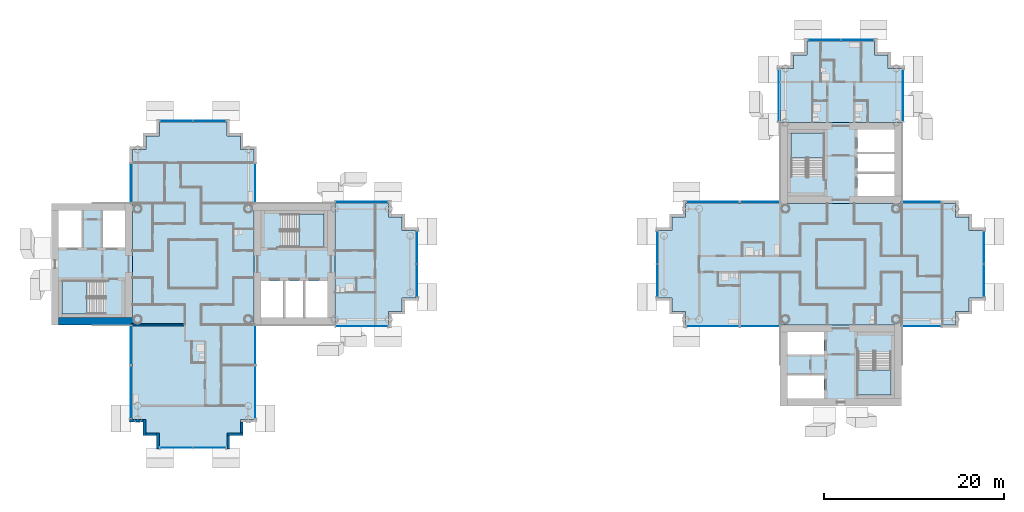
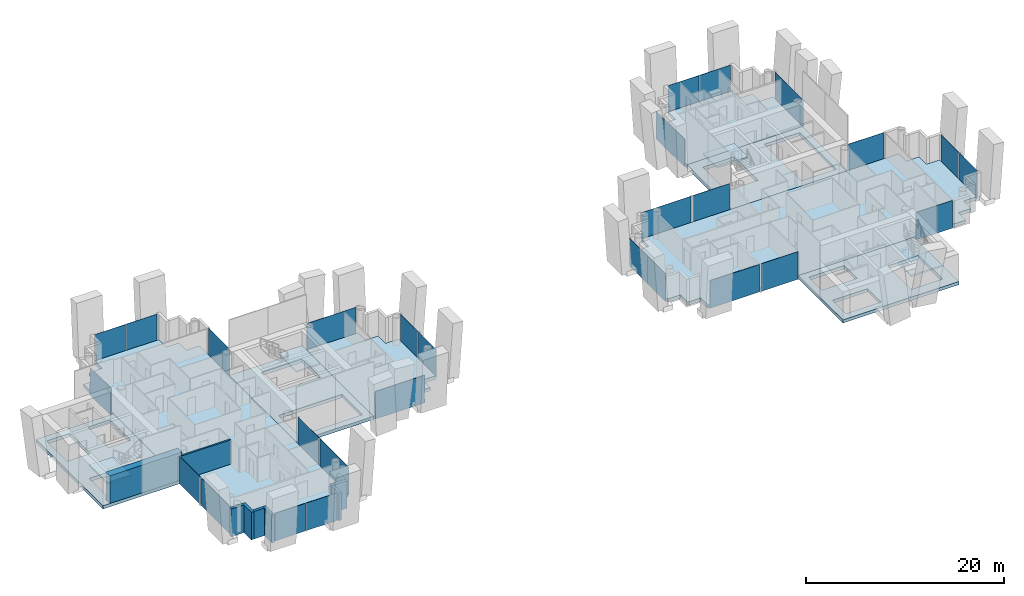
# One storey, part 5 of 18: 28 plates, 12 slabs, 9 walls, 26 elements without a shape of their own.
"""IFC4 building model written with IfcOpenShell, lengths in metres."""

from ifc_helpers import new_model, si_unit, direction, frame, frame_2d, origin, origin_2d, place, context, subcontext, project, spatial, polyline, rectangle, outline, extrude, material, layer, layer_set, type_object, element, aggregate, save


model = new_model("IFC4")

# Units and contexts
model_context = context("Model", 3, precision=1e-05, world=origin(), true_north=direction((0.0, 1.0)))
body_context = subcontext(model_context, "Body", "Model", "MODEL_VIEW")
ifc_project = project(units=[si_unit("LENGTHUNIT", "METRE"), si_unit("AREAUNIT", "SQUARE_METRE"), si_unit("VOLUMEUNIT", "CUBIC_METRE"), si_unit("PLANEANGLEUNIT", "RADIAN"), si_unit("MASSUNIT", "GRAM", prefix="KILO")], contexts=[model_context])

# Site, building, storey
site_placement = place(None, origin())
site = spatial("IfcSite", under=ifc_project, at=site_placement, CompositionType="ELEMENT")
building_placement = place(site_placement, origin())
building = spatial("IfcBuilding", under=site, at=building_placement, Name="Ipe Terrace Towers", CompositionType="ELEMENT")
storey_placement = place(building_placement, frame((0.0, 0.0, 164.300048828125)))
storey = spatial("IfcBuildingStorey", under=building, at=storey_placement, Name="L45", CompositionType="ELEMENT", Elevation=164.300048828125)

# Slabs
ifc_material_1 = material(Name="Concrete C30/37", Category="concrete")
ifc_layer_1 = layer(ifc_material_1, 0.39990234375)
ifc_layer_set_1 = layer_set([ifc_layer_1], Name="CORE FLOOR SLAB 400 C30-37")
slab_type_1 = type_object("IfcSlabType", Name="CORE FLOOR SLAB 400 C30-37", PredefinedType="FLOOR", material=ifc_layer_set_1)
slab_1_placement = place(storey_placement, frame((0.0, 0.0, -0.400146484375)))
element("IfcSlab", 1, at=slab_1_placement, inside=storey, type_object=slab_type_1, Name="Core floor T1-C1", PredefinedType="FLOOR", context=body_context, shape_type="SweptSolid", body=[
    extrude(outline(polyline([(-29.25, -6.75), (-29.25, 6.75), (-20.25, 6.75), (-20.25, -6.75), (-29.25, -6.75)]), holes=[polyline([(-28.449951171875, -5.949951171875), (-21.050048828125, -5.949951171875), (-21.050048828125, -1.85009765625), (-28.449951171875, -1.85009765625), (-28.449951171875, -5.949951171875)]), polyline([(-26.199951171875, 5.550048828125), (-26.199951171875, 1.89990234375), (-21.449951171875, 1.89990234375), (-21.449951171875, 5.550048828125), (-26.199951171875, 5.550048828125)])]), origin(), (0.0, 0.0, 1.0), 0.400146484375),
])
slab_2_placement = place(storey_placement, frame((0.0, 0.0, -0.400146484375)))
element("IfcSlab", 2, at=slab_2_placement, inside=storey, type_object=slab_type_1, Name="Core floor T1-C2", PredefinedType="FLOOR", context=body_context, shape_type="SweptSolid", body=[
    extrude(outline(polyline([(-51.75, -6.75), (-51.75, 6.75), (-42.75, 6.75), (-42.75, -6.75), (-51.75, -6.75)]), holes=[polyline([(-45.800048828125, -1.89990234375), (-50.550048828125, -1.89990234375), (-50.550048828125, -5.550048828125), (-45.800048828125, -5.550048828125), (-45.800048828125, -1.89990234375)]), polyline([(-48.25, 1.85009765625), (-48.25, 5.949951171875), (-50.949951171875, 5.949951171875), (-50.949951171875, 1.85009765625), (-48.25, 1.85009765625)]), polyline([(-43.550048828125, 1.85009765625), (-43.550048828125, 5.949951171875), (-46.14990234375, 5.949951171875), (-46.14990234375, 1.85009765625), (-43.550048828125, 1.85009765625)])]), origin(), (0.0, 0.0, 1.0), 0.400146484375),
])
slab_3_placement = place(storey_placement, frame((0.0, 0.0, -0.400146484375)))
element("IfcSlab", 3, at=slab_3_placement, inside=storey, type_object=slab_type_1, Name="Core floor T2-C1", PredefinedType="FLOOR", context=body_context, shape_type="SweptSolid", body=[
    extrude(outline(polyline([(29.25, 6.75), (29.25, 15.75), (42.75, 15.75), (42.75, 6.75), (29.25, 6.75)]), holes=[polyline([(41.949951171875, 7.550048828125), (41.949951171875, 14.949951171875), (37.85009765625, 14.949951171875), (37.85009765625, 7.550048828125), (41.949951171875, 7.550048828125)]), polyline([(30.449951171875, 9.800048828125), (34.10009765625, 9.800048828125), (34.10009765625, 14.550048828125), (30.449951171875, 14.550048828125), (30.449951171875, 9.800048828125)])]), origin(), (0.0, 0.0, 1.0), 0.400146484375),
])
slab_4_placement = place(storey_placement, frame((0.0, 0.0, -0.400146484375)))
element("IfcSlab", 4, at=slab_4_placement, inside=storey, type_object=slab_type_1, Name="Core floor T2-C2", PredefinedType="FLOOR", context=body_context, shape_type="SweptSolid", body=[
    extrude(outline(polyline([(29.25, -15.75), (29.25, -6.75), (42.75, -6.75), (42.75, -15.75), (29.25, -15.75)]), holes=[polyline([(30.050048828125, -12.25), (30.050048828125, -14.949951171875), (34.14990234375, -14.949951171875), (34.14990234375, -12.25), (30.050048828125, -12.25)]), polyline([(41.550048828125, -9.800048828125), (37.89990234375, -9.800048828125), (37.89990234375, -14.550048828125), (41.550048828125, -14.550048828125), (41.550048828125, -9.800048828125)]), polyline([(34.14990234375, -7.550048828125), (30.050048828125, -7.550048828125), (30.050048828125, -10.14990234375), (34.14990234375, -10.14990234375), (34.14990234375, -7.550048828125)])]), origin(), (0.0, 0.0, 1.0), 0.400146484375),
])

# Stair, slab
ifc_material_2 = material(Name="Concrete C30/37", Category="concrete")
stair_type = type_object("IfcStairType", Name="Protected exit stair", PredefinedType="HALF_TURN_STAIR", material=ifc_material_2)
stair_1_placement = place(storey_placement, origin())
stair_1 = element("IfcStair", 5, at=stair_1_placement, inside=storey, type_object=stair_type, Name="L45 Exit stair T1-C1", PredefinedType="HALF_TURN_STAIR")
ifc_material_3 = material(Name="Concrete C30/37", Category="concrete")
ifc_layer_2 = layer(ifc_material_3, 0.199951171875)
ifc_layer_set_2 = layer_set([ifc_layer_2], Name="Exit stair landing 200")
slab_type_2 = type_object("IfcSlabType", Name="Exit stair landing 200", PredefinedType="LANDING", material=ifc_layer_set_2)
slab_5_placement = place(storey_placement, frame((0.0, 0.0, 1.5)))
slab_5 = element("IfcSlab", 6, at=slab_5_placement, type_object=slab_type_2, Name="T1-ST1 landing 1", PredefinedType="LANDING", context=body_context, shape_type="SweptSolid", body=[
    extrude(outline(polyline([(-24.219970703125, 1.89990234375), (-21.449951171875, 1.89990234375), (-21.449951171875, 5.550048828125), (-24.219970703125, 5.550048828125), (-24.219970703125, 1.89990234375)])), origin(), (0.0, 0.0, 1.0), 0.199951171875),
])
aggregate(stair_1, [slab_5])

stair_2_placement = place(storey_placement, origin())
stair_2 = element("IfcStair", 7, at=stair_2_placement, inside=storey, type_object=stair_type, Name="L45 Exit stair T1-C2", PredefinedType="HALF_TURN_STAIR")
slab_6_placement = place(storey_placement, frame((0.0, 0.0, 1.5)))
slab_6 = element("IfcSlab", 8, at=slab_6_placement, type_object=slab_type_2, Name="T1-ST2 landing 1", PredefinedType="LANDING", context=body_context, shape_type="SweptSolid", body=[
    extrude(outline(polyline([(-47.780029296875, -1.89990234375), (-50.550048828125, -1.89990234375), (-50.550048828125, -5.550048828125), (-47.780029296875, -5.550048828125), (-47.780029296875, -1.89990234375)])), origin(), (0.0, 0.0, 1.0), 0.199951171875),
])
aggregate(stair_2, [slab_6])

stair_3_placement = place(storey_placement, origin())
stair_3 = element("IfcStair", 9, at=stair_3_placement, inside=storey, type_object=stair_type, Name="L45 Exit stair T2-C1", PredefinedType="HALF_TURN_STAIR")
slab_7_placement = place(storey_placement, frame((0.0, 0.0, 1.5)))
slab_7 = element("IfcSlab", 10, at=slab_7_placement, type_object=slab_type_2, Name="T2-ST1 landing 1", PredefinedType="LANDING", context=body_context, shape_type="SweptSolid", body=[
    extrude(outline(polyline([(34.10009765625, 11.780029296875), (34.10009765625, 14.550048828125), (30.449951171875, 14.550048828125), (30.449951171875, 11.780029296875), (34.10009765625, 11.780029296875)])), origin(), (0.0, 0.0, 1.0), 0.199951171875),
])
aggregate(stair_3, [slab_7])

stair_4_placement = place(storey_placement, origin())
stair_4 = element("IfcStair", 11, at=stair_4_placement, inside=storey, type_object=stair_type, Name="L45 Exit stair T2-C2", PredefinedType="HALF_TURN_STAIR")
slab_8_placement = place(storey_placement, frame((0.0, 0.0, 1.5)))
slab_8 = element("IfcSlab", 12, at=slab_8_placement, type_object=slab_type_2, Name="T2-ST2 landing 1", PredefinedType="LANDING", context=body_context, shape_type="SweptSolid", body=[
    extrude(outline(polyline([(37.89990234375, -11.780029296875), (37.89990234375, -14.550048828125), (41.550048828125, -14.550048828125), (41.550048828125, -11.780029296875), (37.89990234375, -11.780029296875)])), origin(), (0.0, 0.0, 1.0), 0.199951171875),
])
aggregate(stair_4, [slab_8])

# Slabs
ifc_material_4 = material(Name="Concrete C40/50", Category="concrete")
ifc_layer_3 = layer(ifc_material_4, 0.39990234375)
ifc_layer_set_3 = layer_set([ifc_layer_3], Name="FLAT PLATE SLAB 400 C40-50")
slab_type_3 = type_object("IfcSlabType", Name="FLAT PLATE SLAB 400 C40-50", PredefinedType="FLOOR", material=ifc_layer_set_3)
slab_9_placement = place(storey_placement, frame((0.0, 0.0, -0.400146484375)))
element("IfcSlab", 13, at=slab_9_placement, inside=storey, type_object=slab_type_3, Name="Slab T1-FS-Z31", PredefinedType="FLOOR", context=body_context, shape_type="SweptSolid", body=[
    extrude(outline(polyline([(-30.75, -17.25), (-30.75, -18.75), (-32.25, -18.75), (-32.25, -20.25), (-39.75, -20.25), (-39.75, -18.75), (-41.25, -18.75), (-41.25, -17.25), (-42.75, -17.25), (-42.75, -6.75), (-42.75, 6.75), (-42.75, 12.75), (-41.25, 12.75), (-41.25, 14.25), (-39.75, 14.25), (-39.75, 15.75), (-32.25, 15.75), (-32.25, 14.25), (-30.75, 14.25), (-30.75, 12.75), (-29.25, 12.75), (-29.25, 6.75), (-29.25, -6.75), (-29.25, -17.25), (-30.75, -17.25)])), origin(), (0.0, 0.0, 1.0), 0.400146484375),
])
slab_10_placement = place(storey_placement, frame((0.0, 0.0, -0.400146484375)))
element("IfcSlab", 14, at=slab_10_placement, inside=storey, type_object=slab_type_3, Name="Slab T1-FS-Z32", PredefinedType="FLOOR", context=body_context, shape_type="SweptSolid", body=[
    extrude(outline(polyline([(-14.25, 5.25), (-12.75, 5.25), (-12.75, 3.75), (-11.25, 3.75), (-11.25, -3.75), (-12.75, -3.75), (-12.75, -5.25), (-14.25, -5.25), (-14.25, -6.75), (-20.25, -6.75), (-20.25, 6.75), (-14.25, 6.75), (-14.25, 5.25)])), origin(), (0.0, 0.0, 1.0), 0.400146484375),
])
slab_11_placement = place(storey_placement, frame((0.0, 0.0, -0.400146484375)))
element("IfcSlab", 15, at=slab_11_placement, inside=storey, type_object=slab_type_3, Name="Slab T2-FS-Z31", PredefinedType="FLOOR", context=body_context, shape_type="SweptSolid", body=[
    extrude(outline(polyline([(48.75, 5.25), (50.25, 5.25), (50.25, 3.75), (51.75, 3.75), (51.75, -3.75), (50.25, -3.75), (50.25, -5.25), (48.75, -5.25), (48.75, -6.75), (42.75, -6.75), (29.25, -6.75), (18.75, -6.75), (18.75, -5.25), (17.25, -5.25), (17.25, -3.75), (15.75, -3.75), (15.75, 3.75), (17.25, 3.75), (17.25, 5.25), (18.75, 5.25), (18.75, 6.75), (29.25, 6.75), (42.75, 6.75), (48.75, 6.75), (48.75, 5.25)])), origin(), (0.0, 0.0, 1.0), 0.400146484375),
])
slab_12_placement = place(storey_placement, frame((0.0, 0.0, -0.400146484375)))
element("IfcSlab", 16, at=slab_12_placement, inside=storey, type_object=slab_type_3, Name="Slab T2-FS-Z32", PredefinedType="FLOOR", context=body_context, shape_type="SweptSolid", body=[
    extrude(outline(polyline([(30.75, 21.75), (30.75, 23.25), (32.25, 23.25), (32.25, 24.75), (39.75, 24.75), (39.75, 23.25), (41.25, 23.25), (41.25, 21.75), (42.75, 21.75), (42.75, 15.75), (29.25, 15.75), (29.25, 21.75), (30.75, 21.75)])), origin(), (0.0, 0.0, 1.0), 0.400146484375),
])

# Curtain wall, plate
ifc_material_5 = material(Name="Aluminium alloy 6063-T6", Category="aluminium")
ifc_layer_4 = layer(ifc_material_5, 0.320068359375)
ifc_layer_set_4 = layer_set([ifc_layer_4], Name="TOWER UNITISED CURTAIN WALL")
curtain_wall_type = type_object("IfcCurtainWallType", Name="TOWER UNITISED CURTAIN WALL", PredefinedType="NOTDEFINED", material=ifc_layer_set_4)
curtain_wall_1_placement = place(storey_placement, origin())
curtain_wall_1 = element("IfcCurtainWall", 17, at=curtain_wall_1_placement, inside=storey, type_object=curtain_wall_type, Name="T1-CW-L45-02a curtain wall", PredefinedType="NOTDEFINED")
ifc_material_6 = material(Name="Glass, clear laminated", Category="glass")
ifc_layer_5 = layer(ifc_material_6, 0.031982421875)
ifc_layer_set_5 = layer_set([ifc_layer_5], Name="TOWER UNITISED GLASS PANEL 32")
plate_type = type_object("IfcPlateType", Name="TOWER UNITISED GLASS PANEL 32", PredefinedType="CURTAIN_PANEL", material=ifc_layer_set_5)
plate_1_placement = place(storey_placement, frame((-42.909912109375, -9.0, -0.300048828125), z_axis=(0.0, 0.0, 1.0), x_axis=(0.0, -1.0, 0.0)))
plate_1 = element("IfcPlate", 18, at=plate_1_placement, type_object=plate_type, Name="T1-CW-L45-02a panel 1", PredefinedType="CURTAIN_PANEL", context=body_context, shape_type="SweptSolid", body=[
    extrude(rectangle(XDim=4.260009765625, YDim=0.031982421875, at=origin_2d()), origin(), (0.0, 0.0, 1.0), 3.39990234375),
])
aggregate(curtain_wall_1, [plate_1])

curtain_wall_2_placement = place(storey_placement, origin())
curtain_wall_2 = element("IfcCurtainWall", 19, at=curtain_wall_2_placement, inside=storey, type_object=curtain_wall_type, Name="T1-CW-L45-03a curtain wall", PredefinedType="NOTDEFINED")
plate_2_placement = place(storey_placement, frame((-42.909912109375, -14.25, -0.300048828125), z_axis=(0.0, 0.0, 1.0), x_axis=(0.0, -1.0, 0.0)))
plate_2 = element("IfcPlate", 20, at=plate_2_placement, type_object=plate_type, Name="T1-CW-L45-03a panel 1", PredefinedType="CURTAIN_PANEL", context=body_context, shape_type="SweptSolid", body=[
    extrude(rectangle(XDim=5.760009765625, YDim=0.031982421875, at=origin_2d()), origin(), (0.0, 0.0, 1.0), 3.39990234375),
])
aggregate(curtain_wall_2, [plate_2])

# Curtain wall, plates
curtain_wall_3_placement = place(storey_placement, origin())
curtain_wall_3 = element("IfcCurtainWall", 21, at=curtain_wall_3_placement, inside=storey, type_object=curtain_wall_type, Name="T1-CW-L45-08a curtain wall", PredefinedType="NOTDEFINED")
plate_3_placement = place(storey_placement, frame((-37.831298828125, -20.409912109375, -0.300048828125), z_axis=(0.0, 0.0, 1.0), x_axis=(1.0, 0.0, 0.0)))
plate_3 = element("IfcPlate", 22, at=plate_3_placement, type_object=plate_type, Name="T1-CW-L45-08a panel 1", PredefinedType="CURTAIN_PANEL", context=body_context, shape_type="SweptSolid", body=[
    extrude(rectangle(XDim=3.597412109375, YDim=0.031982421875, at=origin_2d()), origin(), (0.0, 0.0, 1.0), 3.39990234375),
])
plate_4_placement = place(storey_placement, frame((-34.168701171875, -20.409912109375, -0.300048828125), z_axis=(0.0, 0.0, 1.0), x_axis=(1.0, 0.0, 0.0)))
plate_4 = element("IfcPlate", 23, at=plate_4_placement, type_object=plate_type, Name="T1-CW-L45-08a panel 2", PredefinedType="CURTAIN_PANEL", context=body_context, shape_type="SweptSolid", body=[
    extrude(rectangle(XDim=3.597412109375, YDim=0.031982421875, at=origin_2d()), origin(), (0.0, 0.0, 1.0), 3.39990234375),
])
aggregate(curtain_wall_3, [plate_3, plate_4])

# Curtain wall, plate
curtain_wall_4_placement = place(storey_placement, origin())
curtain_wall_4 = element("IfcCurtainWall", 24, at=curtain_wall_4_placement, inside=storey, type_object=curtain_wall_type, Name="T1-CW-L45-13a curtain wall", PredefinedType="NOTDEFINED")
plate_5_placement = place(storey_placement, frame((-29.090087890625, -14.25, -0.300048828125), z_axis=(0.0, 0.0, 1.0), x_axis=(0.0, 1.0, 0.0)))
plate_5 = element("IfcPlate", 25, at=plate_5_placement, type_object=plate_type, Name="T1-CW-L45-13a panel 1", PredefinedType="CURTAIN_PANEL", context=body_context, shape_type="SweptSolid", body=[
    extrude(rectangle(XDim=5.760009765625, YDim=0.031982421875, at=origin_2d()), origin(), (0.0, 0.0, 1.0), 3.39990234375),
])
aggregate(curtain_wall_4, [plate_5])

curtain_wall_5_placement = place(storey_placement, origin())
curtain_wall_5 = element("IfcCurtainWall", 26, at=curtain_wall_5_placement, inside=storey, type_object=curtain_wall_type, Name="T1-CW-L45-14a curtain wall", PredefinedType="NOTDEFINED")
plate_6_placement = place(storey_placement, frame((-29.090087890625, -9.0, -0.300048828125), z_axis=(0.0, 0.0, 1.0), x_axis=(0.0, 1.0, 0.0)))
plate_6 = element("IfcPlate", 27, at=plate_6_placement, type_object=plate_type, Name="T1-CW-L45-14a panel 1", PredefinedType="CURTAIN_PANEL", context=body_context, shape_type="SweptSolid", body=[
    extrude(rectangle(XDim=4.260009765625, YDim=0.031982421875, at=origin_2d()), origin(), (0.0, 0.0, 1.0), 3.39990234375),
])
aggregate(curtain_wall_5, [plate_6])

curtain_wall_6_placement = place(storey_placement, origin())
curtain_wall_6 = element("IfcCurtainWall", 28, at=curtain_wall_6_placement, inside=storey, type_object=curtain_wall_type, Name="T1-CW-L45-16b curtain wall", PredefinedType="NOTDEFINED")
plate_7_placement = place(storey_placement, frame((-17.24951171875, -6.909912109375, -0.300048828125), z_axis=(0.0, 0.0, 1.0), x_axis=(1.0, 0.0, 0.0)))
plate_7 = element("IfcPlate", 29, at=plate_7_placement, type_object=plate_type, Name="T1-CW-L45-16b panel 1", PredefinedType="CURTAIN_PANEL", context=body_context, shape_type="SweptSolid", body=[
    extrude(rectangle(XDim=5.759033203125, YDim=0.031982421875, at=origin_2d()), origin(), (0.0, 0.0, 1.0), 3.39990234375),
])
aggregate(curtain_wall_6, [plate_7])

# Curtain wall, plates
curtain_wall_7_placement = place(storey_placement, origin())
curtain_wall_7 = element("IfcCurtainWall", 30, at=curtain_wall_7_placement, inside=storey, type_object=curtain_wall_type, Name="T1-CW-L45-21a curtain wall", PredefinedType="NOTDEFINED")
plate_8_placement = place(storey_placement, frame((-11.090087890625, -1.831298828125, -0.300048828125), z_axis=(0.0, 0.0, 1.0), x_axis=(0.0, 1.0, 0.0)))
plate_8 = element("IfcPlate", 31, at=plate_8_placement, type_object=plate_type, Name="T1-CW-L45-21a panel 1", PredefinedType="CURTAIN_PANEL", context=body_context, shape_type="SweptSolid", body=[
    extrude(rectangle(XDim=3.597412109375, YDim=0.031982421875, at=origin_2d()), origin(), (0.0, 0.0, 1.0), 3.39990234375),
])
plate_9_placement = place(storey_placement, frame((-11.090087890625, 1.831298828125, -0.300048828125), z_axis=(0.0, 0.0, 1.0), x_axis=(0.0, 1.0, 0.0)))
plate_9 = element("IfcPlate", 32, at=plate_9_placement, type_object=plate_type, Name="T1-CW-L45-21a panel 2", PredefinedType="CURTAIN_PANEL", context=body_context, shape_type="SweptSolid", body=[
    extrude(rectangle(XDim=3.597412109375, YDim=0.031982421875, at=origin_2d()), origin(), (0.0, 0.0, 1.0), 3.39990234375),
])
aggregate(curtain_wall_7, [plate_8, plate_9])

# Curtain wall, plate
curtain_wall_8_placement = place(storey_placement, origin())
curtain_wall_8 = element("IfcCurtainWall", 33, at=curtain_wall_8_placement, inside=storey, type_object=curtain_wall_type, Name="T1-CW-L45-26a curtain wall", PredefinedType="NOTDEFINED")
plate_10_placement = place(storey_placement, frame((-17.24951171875, 6.909912109375, -0.300048828125), z_axis=(0.0, 0.0, 1.0), x_axis=(-1.0, 0.0, 0.0)))
plate_10 = element("IfcPlate", 34, at=plate_10_placement, type_object=plate_type, Name="T1-CW-L45-26a panel 1", PredefinedType="CURTAIN_PANEL", context=body_context, shape_type="SweptSolid", body=[
    extrude(rectangle(XDim=5.759033203125, YDim=0.031982421875, at=origin_2d()), origin(), (0.0, 0.0, 1.0), 3.39990234375),
])
aggregate(curtain_wall_8, [plate_10])

curtain_wall_9_placement = place(storey_placement, origin())
curtain_wall_9 = element("IfcCurtainWall", 35, at=curtain_wall_9_placement, inside=storey, type_object=curtain_wall_type, Name="T1-CW-L45-28a curtain wall", PredefinedType="NOTDEFINED")
plate_11_placement = place(storey_placement, frame((-29.090087890625, 9.0, -0.300048828125), z_axis=(0.0, 0.0, 1.0), x_axis=(0.0, 1.0, 0.0)))
plate_11 = element("IfcPlate", 36, at=plate_11_placement, type_object=plate_type, Name="T1-CW-L45-28a panel 1", PredefinedType="CURTAIN_PANEL", context=body_context, shape_type="SweptSolid", body=[
    extrude(rectangle(XDim=4.260009765625, YDim=0.031982421875, at=origin_2d()), origin(), (0.0, 0.0, 1.0), 3.39990234375),
])
aggregate(curtain_wall_9, [plate_11])

# Curtain wall, plates
curtain_wall_10_placement = place(storey_placement, origin())
curtain_wall_10 = element("IfcCurtainWall", 37, at=curtain_wall_10_placement, inside=storey, type_object=curtain_wall_type, Name="T1-CW-L45-34a curtain wall", PredefinedType="NOTDEFINED")
plate_12_placement = place(storey_placement, frame((-34.168701171875, 15.909912109375, -0.300048828125), z_axis=(0.0, 0.0, 1.0), x_axis=(-1.0, 0.0, 0.0)))
plate_12 = element("IfcPlate", 38, at=plate_12_placement, type_object=plate_type, Name="T1-CW-L45-34a panel 1", PredefinedType="CURTAIN_PANEL", context=body_context, shape_type="SweptSolid", body=[
    extrude(rectangle(XDim=3.597412109375, YDim=0.031982421875, at=origin_2d()), origin(), (0.0, 0.0, 1.0), 3.39990234375),
])
plate_13_placement = place(storey_placement, frame((-37.831298828125, 15.909912109375, -0.300048828125), z_axis=(0.0, 0.0, 1.0), x_axis=(-1.0, 0.0, 0.0)))
plate_13 = element("IfcPlate", 39, at=plate_13_placement, type_object=plate_type, Name="T1-CW-L45-34a panel 2", PredefinedType="CURTAIN_PANEL", context=body_context, shape_type="SweptSolid", body=[
    extrude(rectangle(XDim=3.597412109375, YDim=0.031982421875, at=origin_2d()), origin(), (0.0, 0.0, 1.0), 3.39990234375),
])
aggregate(curtain_wall_10, [plate_12, plate_13])

# Curtain wall, plate
curtain_wall_11_placement = place(storey_placement, origin())
curtain_wall_11 = element("IfcCurtainWall", 40, at=curtain_wall_11_placement, inside=storey, type_object=curtain_wall_type, Name="T1-CW-L45-40a curtain wall", PredefinedType="NOTDEFINED")
plate_14_placement = place(storey_placement, frame((-42.909912109375, 9.0, -0.300048828125), z_axis=(0.0, 0.0, 1.0), x_axis=(0.0, -1.0, 0.0)))
plate_14 = element("IfcPlate", 41, at=plate_14_placement, type_object=plate_type, Name="T1-CW-L45-40a panel 1", PredefinedType="CURTAIN_PANEL", context=body_context, shape_type="SweptSolid", body=[
    extrude(rectangle(XDim=4.260009765625, YDim=0.031982421875, at=origin_2d()), origin(), (0.0, 0.0, 1.0), 3.39990234375),
])
aggregate(curtain_wall_11, [plate_14])

curtain_wall_12_placement = place(storey_placement, origin())
curtain_wall_12 = element("IfcCurtainWall", 42, at=curtain_wall_12_placement, inside=storey, type_object=curtain_wall_type, Name="T2-CW-L45-02a curtain wall", PredefinedType="NOTDEFINED")
plate_15_placement = place(storey_placement, frame((45.0, -6.909912109375, -0.300048828125), z_axis=(0.0, 0.0, 1.0), x_axis=(1.0, 0.0, 0.0)))
plate_15 = element("IfcPlate", 43, at=plate_15_placement, type_object=plate_type, Name="T2-CW-L45-02a panel 1", PredefinedType="CURTAIN_PANEL", context=body_context, shape_type="SweptSolid", body=[
    extrude(rectangle(XDim=4.260009765625, YDim=0.031982421875, at=origin_2d()), origin(), (0.0, 0.0, 1.0), 3.39990234375),
])
aggregate(curtain_wall_12, [plate_15])

# Curtain wall, plates
curtain_wall_13_placement = place(storey_placement, origin())
curtain_wall_13 = element("IfcCurtainWall", 44, at=curtain_wall_13_placement, inside=storey, type_object=curtain_wall_type, Name="T2-CW-L45-08a curtain wall", PredefinedType="NOTDEFINED")
plate_16_placement = place(storey_placement, frame((51.909912109375, -1.831298828125, -0.300048828125), z_axis=(0.0, 0.0, 1.0), x_axis=(0.0, 1.0, 0.0)))
plate_16 = element("IfcPlate", 45, at=plate_16_placement, type_object=plate_type, Name="T2-CW-L45-08a panel 1", PredefinedType="CURTAIN_PANEL", context=body_context, shape_type="SweptSolid", body=[
    extrude(rectangle(XDim=3.597412109375, YDim=0.031982421875, at=origin_2d()), origin(), (0.0, 0.0, 1.0), 3.39990234375),
])
plate_17_placement = place(storey_placement, frame((51.909912109375, 1.831298828125, -0.300048828125), z_axis=(0.0, 0.0, 1.0), x_axis=(0.0, 1.0, 0.0)))
plate_17 = element("IfcPlate", 46, at=plate_17_placement, type_object=plate_type, Name="T2-CW-L45-08a panel 2", PredefinedType="CURTAIN_PANEL", context=body_context, shape_type="SweptSolid", body=[
    extrude(rectangle(XDim=3.597412109375, YDim=0.031982421875, at=origin_2d()), origin(), (0.0, 0.0, 1.0), 3.39990234375),
])
aggregate(curtain_wall_13, [plate_16, plate_17])

# Curtain wall, plate
curtain_wall_14_placement = place(storey_placement, origin())
curtain_wall_14 = element("IfcCurtainWall", 47, at=curtain_wall_14_placement, inside=storey, type_object=curtain_wall_type, Name="T2-CW-L45-14a curtain wall", PredefinedType="NOTDEFINED")
plate_18_placement = place(storey_placement, frame((45.0, 6.909912109375, -0.300048828125), z_axis=(0.0, 0.0, 1.0), x_axis=(-1.0, 0.0, 0.0)))
plate_18 = element("IfcPlate", 48, at=plate_18_placement, type_object=plate_type, Name="T2-CW-L45-14a panel 1", PredefinedType="CURTAIN_PANEL", context=body_context, shape_type="SweptSolid", body=[
    extrude(rectangle(XDim=4.260009765625, YDim=0.031982421875, at=origin_2d()), origin(), (0.0, 0.0, 1.0), 3.39990234375),
])
aggregate(curtain_wall_14, [plate_18])

curtain_wall_15_placement = place(storey_placement, origin())
curtain_wall_15 = element("IfcCurtainWall", 49, at=curtain_wall_15_placement, inside=storey, type_object=curtain_wall_type, Name="T2-CW-L45-16b curtain wall", PredefinedType="NOTDEFINED")
plate_19_placement = place(storey_placement, frame((42.909912109375, 18.75048828125, -0.300048828125), z_axis=(0.0, 0.0, 1.0), x_axis=(0.0, 1.0, 0.0)))
plate_19 = element("IfcPlate", 50, at=plate_19_placement, type_object=plate_type, Name="T2-CW-L45-16b panel 1", PredefinedType="CURTAIN_PANEL", context=body_context, shape_type="SweptSolid", body=[
    extrude(rectangle(XDim=5.759033203125, YDim=0.031982421875, at=origin_2d()), origin(), (0.0, 0.0, 1.0), 3.39990234375),
])
aggregate(curtain_wall_15, [plate_19])

# Curtain wall, plates
curtain_wall_16_placement = place(storey_placement, origin())
curtain_wall_16 = element("IfcCurtainWall", 51, at=curtain_wall_16_placement, inside=storey, type_object=curtain_wall_type, Name="T2-CW-L45-21a curtain wall", PredefinedType="NOTDEFINED")
plate_20_placement = place(storey_placement, frame((37.831298828125, 24.909912109375, -0.300048828125), z_axis=(0.0, 0.0, 1.0), x_axis=(-1.0, 0.0, 0.0)))
plate_20 = element("IfcPlate", 52, at=plate_20_placement, type_object=plate_type, Name="T2-CW-L45-21a panel 1", PredefinedType="CURTAIN_PANEL", context=body_context, shape_type="SweptSolid", body=[
    extrude(rectangle(XDim=3.597412109375, YDim=0.031982421875, at=origin_2d()), origin(), (0.0, 0.0, 1.0), 3.39990234375),
])
plate_21_placement = place(storey_placement, frame((34.168701171875, 24.909912109375, -0.300048828125), z_axis=(0.0, 0.0, 1.0), x_axis=(-1.0, 0.0, 0.0)))
plate_21 = element("IfcPlate", 53, at=plate_21_placement, type_object=plate_type, Name="T2-CW-L45-21a panel 2", PredefinedType="CURTAIN_PANEL", context=body_context, shape_type="SweptSolid", body=[
    extrude(rectangle(XDim=3.597412109375, YDim=0.031982421875, at=origin_2d()), origin(), (0.0, 0.0, 1.0), 3.39990234375),
])
aggregate(curtain_wall_16, [plate_20, plate_21])

# Curtain wall, plate
curtain_wall_17_placement = place(storey_placement, origin())
curtain_wall_17 = element("IfcCurtainWall", 54, at=curtain_wall_17_placement, inside=storey, type_object=curtain_wall_type, Name="T2-CW-L45-26a curtain wall", PredefinedType="NOTDEFINED")
plate_22_placement = place(storey_placement, frame((29.090087890625, 18.75048828125, -0.300048828125), z_axis=(0.0, 0.0, 1.0), x_axis=(0.0, -1.0, 0.0)))
plate_22 = element("IfcPlate", 55, at=plate_22_placement, type_object=plate_type, Name="T2-CW-L45-26a panel 1", PredefinedType="CURTAIN_PANEL", context=body_context, shape_type="SweptSolid", body=[
    extrude(rectangle(XDim=5.759033203125, YDim=0.031982421875, at=origin_2d()), origin(), (0.0, 0.0, 1.0), 3.39990234375),
])
aggregate(curtain_wall_17, [plate_22])

curtain_wall_18_placement = place(storey_placement, origin())
curtain_wall_18 = element("IfcCurtainWall", 56, at=curtain_wall_18_placement, inside=storey, type_object=curtain_wall_type, Name="T2-CW-L45-28a curtain wall", PredefinedType="NOTDEFINED")
plate_23_placement = place(storey_placement, frame((27.0, 6.909912109375, -0.300048828125), z_axis=(0.0, 0.0, 1.0), x_axis=(-1.0, 0.0, 0.0)))
plate_23 = element("IfcPlate", 57, at=plate_23_placement, type_object=plate_type, Name="T2-CW-L45-28a panel 1", PredefinedType="CURTAIN_PANEL", context=body_context, shape_type="SweptSolid", body=[
    extrude(rectangle(XDim=4.260009765625, YDim=0.031982421875, at=origin_2d()), origin(), (0.0, 0.0, 1.0), 3.39990234375),
])
aggregate(curtain_wall_18, [plate_23])

curtain_wall_19_placement = place(storey_placement, origin())
curtain_wall_19 = element("IfcCurtainWall", 58, at=curtain_wall_19_placement, inside=storey, type_object=curtain_wall_type, Name="T2-CW-L45-29a curtain wall", PredefinedType="NOTDEFINED")
plate_24_placement = place(storey_placement, frame((21.75, 6.909912109375, -0.300048828125), z_axis=(0.0, 0.0, 1.0), x_axis=(-1.0, 0.0, 0.0)))
plate_24 = element("IfcPlate", 59, at=plate_24_placement, type_object=plate_type, Name="T2-CW-L45-29a panel 1", PredefinedType="CURTAIN_PANEL", context=body_context, shape_type="SweptSolid", body=[
    extrude(rectangle(XDim=5.760009765625, YDim=0.031982421875, at=origin_2d()), origin(), (0.0, 0.0, 1.0), 3.39990234375),
])
aggregate(curtain_wall_19, [plate_24])

# Curtain wall, plates
curtain_wall_20_placement = place(storey_placement, origin())
curtain_wall_20 = element("IfcCurtainWall", 60, at=curtain_wall_20_placement, inside=storey, type_object=curtain_wall_type, Name="T2-CW-L45-34a curtain wall", PredefinedType="NOTDEFINED")
plate_25_placement = place(storey_placement, frame((15.590087890625, 1.831298828125, -0.300048828125), z_axis=(0.0, 0.0, 1.0), x_axis=(0.0, -1.0, 0.0)))
plate_25 = element("IfcPlate", 61, at=plate_25_placement, type_object=plate_type, Name="T2-CW-L45-34a panel 1", PredefinedType="CURTAIN_PANEL", context=body_context, shape_type="SweptSolid", body=[
    extrude(rectangle(XDim=3.597412109375, YDim=0.031982421875, at=origin_2d()), origin(), (0.0, 0.0, 1.0), 3.39990234375),
])
plate_26_placement = place(storey_placement, frame((15.590087890625, -1.831298828125, -0.300048828125), z_axis=(0.0, 0.0, 1.0), x_axis=(0.0, -1.0, 0.0)))
plate_26 = element("IfcPlate", 62, at=plate_26_placement, type_object=plate_type, Name="T2-CW-L45-34a panel 2", PredefinedType="CURTAIN_PANEL", context=body_context, shape_type="SweptSolid", body=[
    extrude(rectangle(XDim=3.597412109375, YDim=0.031982421875, at=origin_2d()), origin(), (0.0, 0.0, 1.0), 3.39990234375),
])
aggregate(curtain_wall_20, [plate_25, plate_26])

# Curtain wall, plate
curtain_wall_21_placement = place(storey_placement, origin())
curtain_wall_21 = element("IfcCurtainWall", 63, at=curtain_wall_21_placement, inside=storey, type_object=curtain_wall_type, Name="T2-CW-L45-39a curtain wall", PredefinedType="NOTDEFINED")
plate_27_placement = place(storey_placement, frame((21.75, -6.909912109375, -0.300048828125), z_axis=(0.0, 0.0, 1.0), x_axis=(1.0, 0.0, 0.0)))
plate_27 = element("IfcPlate", 64, at=plate_27_placement, type_object=plate_type, Name="T2-CW-L45-39a panel 1", PredefinedType="CURTAIN_PANEL", context=body_context, shape_type="SweptSolid", body=[
    extrude(rectangle(XDim=5.760009765625, YDim=0.031982421875, at=origin_2d()), origin(), (0.0, 0.0, 1.0), 3.39990234375),
])
aggregate(curtain_wall_21, [plate_27])

curtain_wall_22_placement = place(storey_placement, origin())
curtain_wall_22 = element("IfcCurtainWall", 65, at=curtain_wall_22_placement, inside=storey, type_object=curtain_wall_type, Name="T2-CW-L45-40a curtain wall", PredefinedType="NOTDEFINED")
plate_28_placement = place(storey_placement, frame((27.0, -6.909912109375, -0.300048828125), z_axis=(0.0, 0.0, 1.0), x_axis=(1.0, 0.0, 0.0)))
plate_28 = element("IfcPlate", 66, at=plate_28_placement, type_object=plate_type, Name="T2-CW-L45-40a panel 1", PredefinedType="CURTAIN_PANEL", context=body_context, shape_type="SweptSolid", body=[
    extrude(rectangle(XDim=4.260009765625, YDim=0.031982421875, at=origin_2d()), origin(), (0.0, 0.0, 1.0), 3.39990234375),
])
aggregate(curtain_wall_22, [plate_28])

# Walls
ifc_material_7 = material(Name="Concrete C40/50 with buff precast cladding", Category="concrete")
ifc_layer_6 = layer(ifc_material_7, 0.320068359375)
ifc_layer_set_6 = layer_set([ifc_layer_6], Name="BUFF CLADDING WALL 320")
wall_type_1 = type_object("IfcWallType", Name="BUFF CLADDING WALL 320", PredefinedType="STANDARD", material=ifc_layer_set_6)
wall_1_placement = place(storey_placement, frame((-43.070068359375, -17.409912109375, -0.300048828125), z_axis=(0.0, 0.0, 1.0), x_axis=(1.0, 0.0, 0.0)))
element("IfcWall", 67, at=wall_1_placement, inside=storey, type_object=wall_type_1, Name="T1-W-L45-04a wall", PredefinedType="STANDARD", context=body_context, shape_type="SweptSolid", body=[
    extrude(rectangle(XDim=1.5, YDim=0.320068359375, at=frame_2d((0.75, 0.0))), origin(), (0.0, 0.0, 1.0), 3.39990234375),
])
wall_2_placement = place(storey_placement, frame((-41.409912109375, -17.25, -0.300048828125), z_axis=(0.0, 0.0, 1.0), x_axis=(0.0, -1.0, 0.0)))
element("IfcWall", 68, at=wall_2_placement, inside=storey, type_object=wall_type_1, Name="T1-W-L45-05a wall", PredefinedType="STANDARD", context=body_context, shape_type="SweptSolid", body=[
    extrude(rectangle(XDim=1.820068359375, YDim=0.320068359375, at=frame_2d((0.91015625, 0.0))), origin(), (0.0, 0.0, 1.0), 3.39990234375),
])
wall_3_placement = place(storey_placement, frame((-41.25, -18.909912109375, -0.300048828125), z_axis=(0.0, 0.0, 1.0), x_axis=(1.0, 0.0, 0.0)))
element("IfcWall", 69, at=wall_3_placement, inside=storey, type_object=wall_type_1, Name="T1-W-L45-06a wall", PredefinedType="STANDARD", context=body_context, shape_type="SweptSolid", body=[
    extrude(rectangle(XDim=1.179931640625, YDim=0.320068359375, at=frame_2d((0.58984375, 0.0))), origin(), (0.0, 0.0, 1.0), 3.39990234375),
])
wall_4_placement = place(storey_placement, frame((-39.909912109375, -18.75, -0.300048828125), z_axis=(0.0, 0.0, 1.0), x_axis=(0.0, -1.0, 0.0)))
element("IfcWall", 70, at=wall_4_placement, inside=storey, type_object=wall_type_1, Name="T1-W-L45-07a wall", PredefinedType="STANDARD", context=body_context, shape_type="SweptSolid", body=[
    extrude(rectangle(XDim=1.820068359375, YDim=0.320068359375, at=frame_2d((0.91015625, 0.0))), origin(), (0.0, 0.0, 1.0), 3.39990234375),
])
wall_5_placement = place(storey_placement, frame((-32.090087890625, -20.570068359375, -0.300048828125), z_axis=(0.0, 0.0, 1.0), x_axis=(0.0, 1.0, 0.0)))
element("IfcWall", 71, at=wall_5_placement, inside=storey, type_object=wall_type_1, Name="T1-W-L45-09a wall", PredefinedType="STANDARD", context=body_context, shape_type="SweptSolid", body=[
    extrude(rectangle(XDim=1.5, YDim=0.320068359375, at=frame_2d((0.75, 0.0))), origin(), (0.0, 0.0, 1.0), 3.39990234375),
])
wall_6_placement = place(storey_placement, frame((-32.25, -18.909912109375, -0.300048828125), z_axis=(0.0, 0.0, 1.0), x_axis=(1.0, 0.0, 0.0)))
element("IfcWall", 72, at=wall_6_placement, inside=storey, type_object=wall_type_1, Name="T1-W-L45-10a wall", PredefinedType="STANDARD", context=body_context, shape_type="SweptSolid", body=[
    extrude(rectangle(XDim=1.820068359375, YDim=0.320068359375, at=frame_2d((0.91015625, 0.0))), origin(), (0.0, 0.0, 1.0), 3.39990234375),
])
wall_7_placement = place(storey_placement, frame((-30.590087890625, -18.75, -0.300048828125), z_axis=(0.0, 0.0, 1.0), x_axis=(0.0, 1.0, 0.0)))
element("IfcWall", 73, at=wall_7_placement, inside=storey, type_object=wall_type_1, Name="T1-W-L45-11a wall", PredefinedType="STANDARD", context=body_context, shape_type="SweptSolid", body=[
    extrude(rectangle(XDim=1.179931640625, YDim=0.320068359375, at=frame_2d((0.58984375, 0.0))), origin(), (0.0, 0.0, 1.0), 3.39990234375),
])
ifc_material_8 = material(Name="Gypsum board party wall", Category="plasterboard")
ifc_layer_7 = layer(ifc_material_8, 0.199951171875)
ifc_layer_set_7 = layer_set([ifc_layer_7], Name="Gypsum board party wall 200 mm")
wall_type_2 = type_object("IfcWallType", Name="Gypsum board party wall 200 mm", PredefinedType="SOLIDWALL", material=ifc_layer_set_7)
wall_8_placement = place(storey_placement, frame((-42.85009765625, -6.75, 0.0), z_axis=(0.0, 0.0, 1.0), x_axis=(1.0, 0.0, 0.0)))
element("IfcWall", 74, at=wall_8_placement, inside=storey, type_object=wall_type_2, Name="Gypsum board party wall T1 L45 W26", PredefinedType="SOLIDWALL", context=body_context, shape_type="SweptSolid", body=[
    extrude(rectangle(XDim=5.9501953125, YDim=0.199951171875, at=frame_2d((2.97509765625, 0.0))), origin(), (0.0, 0.0, 1.0), 3.0),
])
ifc_material_9 = material(Name="Concrete C50/60", Category="concrete")
ifc_layer_8 = layer(ifc_material_9, 0.800048828125)
ifc_layer_set_8 = layer_set([ifc_layer_8], Name="RW800 CORE WALL 800 C50-60")
wall_type_3 = type_object("IfcWallType", Name="RW800 CORE WALL 800 C50-60", PredefinedType="SHEAR", material=ifc_layer_set_8)
wall_9_placement = place(storey_placement, frame((-50.949951171875, -6.35009765625, 0.0), z_axis=(0.0, 0.0, 1.0), x_axis=(1.0, 0.0, 0.0)))
element("IfcWall", 75, at=wall_9_placement, inside=storey, type_object=wall_type_3, Name="Core wall T1-C2-Z3-W01", PredefinedType="SHEAR", context=body_context, shape_type="SweptSolid", body=[
    extrude(rectangle(XDim=8.39794921875, YDim=0.800048828125, at=frame_2d((4.198974609375, 0.0))), origin(), (0.0, 0.0, 1.0), 3.39990234375),
])

save(model, "model.ifc")
